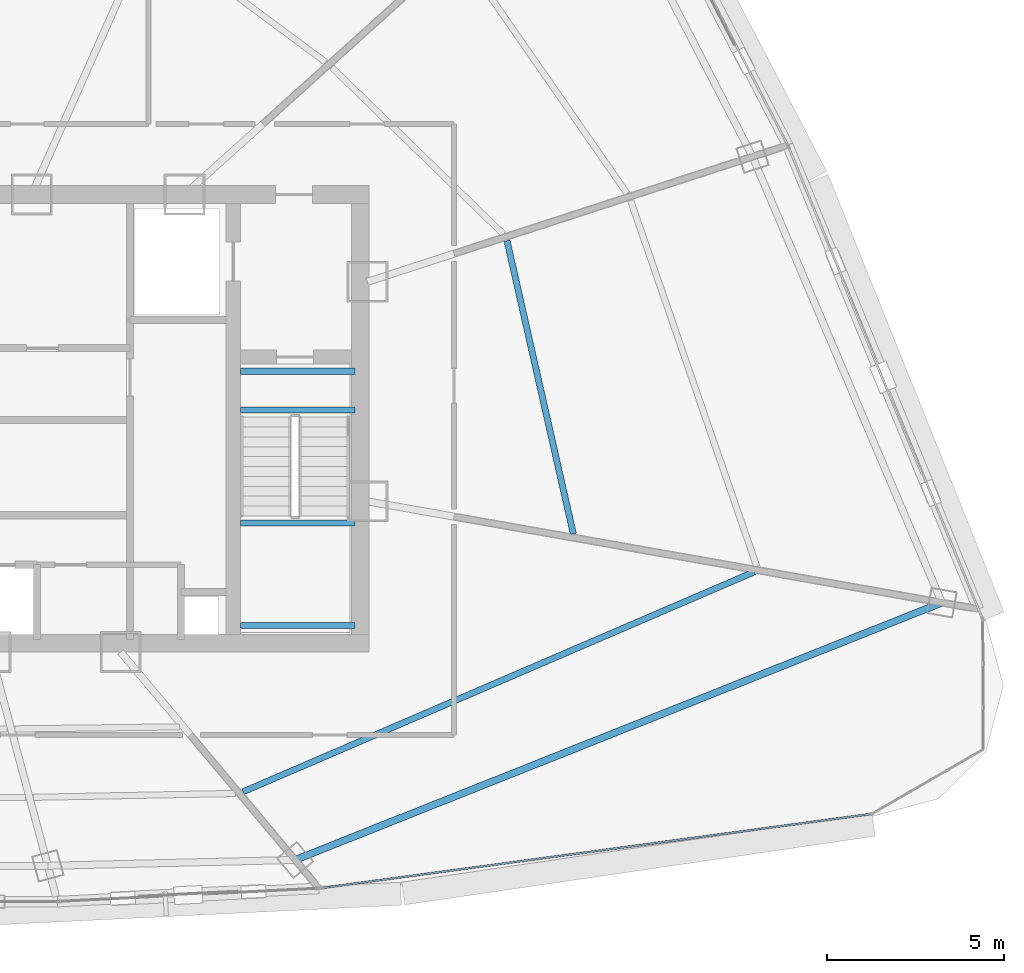
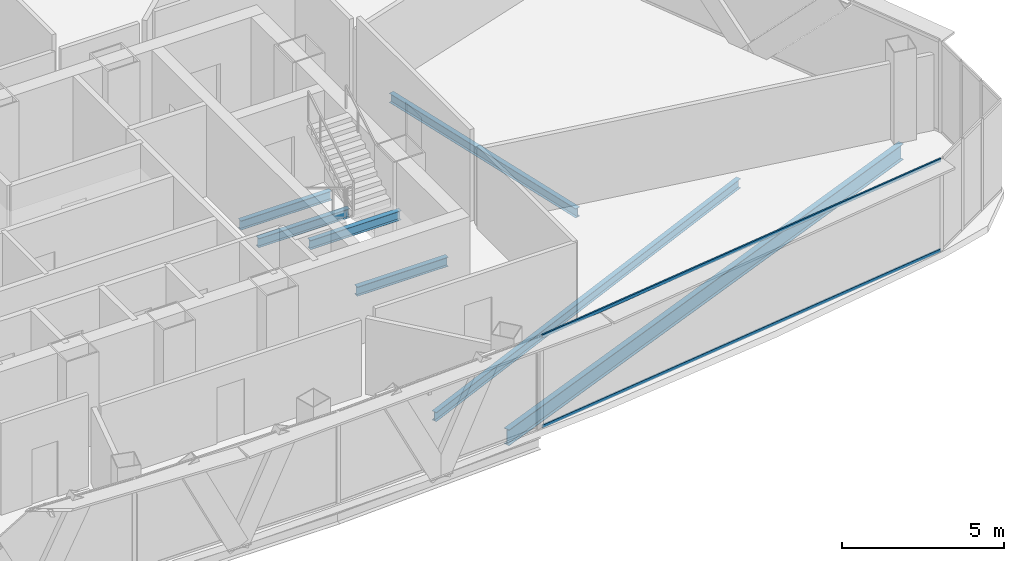
# One storey, part 13 of 33: 7 beams, 2 members, 1 element without a shape of its own.
"""IFC4 building model written with IfcOpenShell, lengths in metres."""

from ifc_helpers import new_model, si_unit, direction, frame, origin, origin_2d, place, context, subcontext, project, spatial, hollow_rectangle, i_section, extrude, source, transform, mapped, material, layer, layer_set, material_profile, profile_set, type_object, element, aggregate, save


model = new_model("IFC4")

# Units and contexts
model_context = context("Model", 3, precision=1e-05, world=origin(), true_north=direction((0.0, 1.0)))
body_context = subcontext(model_context, "Body", "Model", "MODEL_VIEW")
ifc_project = project(units=[si_unit("LENGTHUNIT", "METRE"), si_unit("AREAUNIT", "SQUARE_METRE"), si_unit("VOLUMEUNIT", "CUBIC_METRE"), si_unit("PLANEANGLEUNIT", "RADIAN"), si_unit("MASSUNIT", "GRAM", prefix="KILO"), si_unit("THERMODYNAMICTEMPERATUREUNIT", "KELVIN"), si_unit("POWERUNIT", "WATT")], contexts=[model_context])

# Site, building, storey
site_placement = place(None, origin())
site = spatial("IfcSite", under=ifc_project, at=site_placement, CompositionType="ELEMENT")
building_placement = place(site_placement, origin())
building = spatial("IfcBuilding", under=site, at=building_placement, Name="Yunzhuo Pagoda Commons", CompositionType="ELEMENT")
storey_placement = place(building_placement, frame((0.0, 0.0, 311.1298828125)))
storey = spatial("IfcBuildingStorey", under=building, at=storey_placement, Name="L78", CompositionType="ELEMENT", Elevation=311.1298828125)

# Beams
ifc_material_1 = material(Name="Structural steel Q355B", Category="steel")
ifc_material_profile_1 = material_profile(ifc_material_1, i_section(OverallWidth=0.175048828125, OverallDepth=0.35009765625, WebThickness=0.007080078125, FlangeThickness=0.010986328125, at=origin_2d()), Name="Structural steel Q355B")
ifc_profile_set_1 = profile_set([ifc_material_profile_1], Name="Structural steel Q355B")
beam_type_1 = type_object("IfcBeamType", Name="B-JS2 Joist HN 350x175x7x11", PredefinedType="JOIST", material=ifc_profile_set_1)
shared_shape_1 = source(origin(), body_context, "Body", "SweptSolid", [
    extrude(i_section(OverallWidth=0.175048828125, OverallDepth=0.35009765625, WebThickness=0.007080078125, FlangeThickness=0.010986328125, at=origin_2d()), origin(), (0.0, 0.0, 1.0), 3.25),
])
for number, where, z_axis, x_axis, name in (
    (1, (56.800048828125, 28.0, 1.490234375), (1.0, 0.0, 0.0), (0.0, 1.0, 0.0), "L78 ST2 landing support beam 84A"),
    (2, (56.800048828125, 30.89990234375, 1.490234375), (1.0, 0.0, 0.0), (0.0, 1.0, 0.0), "L78 ST2 landing support beam 84B"),
    (3, (56.800048828125, 34.10009765625, -0.375), (1.0, 0.0, 0.0), (0.0, 1.0, 0.0), "L78 ST2 landing support beam 182A"),
    (4, (56.800048828125, 35.199951171875, -0.375), (1.0, 0.0, 0.0), (0.0, 1.0, 0.0), "L78 ST2 landing support beam 182B"),
):
    element("IfcBeam", number, at=place(storey_placement, frame(where, z_axis=z_axis, x_axis=x_axis)), inside=storey, type_object=beam_type_1, Name=name, PredefinedType="JOIST", context=body_context, shape_type="MappedRepresentation", body=[
        mapped(shared_shape_1, transform((0.0, 0.0, 0.0), scale=1.0)),
    ])
ifc_material_profile_2 = material_profile(ifc_material_1, i_section(OverallWidth=0.199951171875, OverallDepth=0.60009765625, WebThickness=0.010986328125, FlangeThickness=0.01708984375, at=origin_2d()), Name="Structural steel Q355B")
ifc_profile_set_2 = profile_set([ifc_material_profile_2], Name="Structural steel Q355B")
beam_type_2 = type_object("IfcBeamType", Name="B-RG3 Beam HN 600x200x11x17", PredefinedType="BEAM", material=ifc_profile_set_2)
shared_shape_2 = source(origin(), body_context, "Body", "SweptSolid", [
    extrude(i_section(OverallWidth=0.199951171875, OverallDepth=0.60009765625, WebThickness=0.010986328125, FlangeThickness=0.01708984375, at=origin_2d()), origin(), (0.0, 0.0, 1.0), 19.7041015625),
])
beam_1_placement = place(storey_placement, frame((58.353515625, 21.361572265625, -0.559814453125), z_axis=(0.929150216007, 0.369702415592, 0.0), x_axis=(-0.369702415592, 0.929150216007, 0.0)))
element("IfcBeam", 5, at=beam_1_placement, inside=storey, type_object=beam_type_2, Name="L78 column-ring beam 4", PredefinedType="BEAM", context=body_context, shape_type="MappedRepresentation", body=[
    mapped(shared_shape_2, transform((0.0, 0.0, 0.0), scale=1.0)),
])
shared_shape_3 = source(origin(), body_context, "Body", "SweptSolid", [
    extrude(i_section(OverallWidth=0.175048828125, OverallDepth=0.35009765625, WebThickness=0.007080078125, FlangeThickness=0.010986328125, at=origin_2d()), origin(), (0.0, 0.0, 1.0), 15.757080078125),
])
beam_2_placement = place(storey_placement, frame((56.8779296875, 23.291259765625, -0.434814453125), z_axis=(0.918592756952, 0.395205448945, 0.0), x_axis=(-0.395205448945, 0.918592756952, 0.0)))
element("IfcBeam", 6, at=beam_2_placement, inside=storey, type_object=beam_type_1, Name="L78 composite ring joist 2.4", PredefinedType="JOIST", context=body_context, shape_type="MappedRepresentation", body=[
    mapped(shared_shape_3, transform((0.0, 0.0, 0.0), scale=1.0)),
])
shared_shape_4 = source(origin(), body_context, "Body", "SweptSolid", [
    extrude(i_section(OverallWidth=0.175048828125, OverallDepth=0.35009765625, WebThickness=0.007080078125, FlangeThickness=0.010986328125, at=origin_2d()), origin(), (0.0, 0.0, 1.0), 8.508544921875),
])
beam_3_placement = place(storey_placement, frame((66.228759765625, 30.593505859375, -0.434814453125), z_axis=(-0.220769003385, 0.975326123481, 0.0), x_axis=(-0.975326123481, -0.220769003385, 0.0)))
element("IfcBeam", 7, at=beam_3_placement, inside=storey, type_object=beam_type_1, Name="L78 composite ring joist 1.5", PredefinedType="JOIST", context=body_context, shape_type="MappedRepresentation", body=[
    mapped(shared_shape_4, transform((0.0, 0.0, 0.0), scale=1.0)),
])

# Curtain wall, members
ifc_material_2 = material(Name="Anodized aluminium 6063-T6", Category="aluminium")
ifc_layer = layer(ifc_material_2, 0.139892578125)
ifc_layer_set = layer_set([ifc_layer], Name="Anodized aluminium 6063-T6")
curtain_wall_type = type_object("IfcCurtainWallType", Name="CW-HI High-Zone Ribbon Curtain Wall", PredefinedType="NOTDEFINED", material=ifc_layer_set)
curtain_wall_placement = place(storey_placement, origin())
curtain_wall = element("IfcCurtainWall", 8, at=curtain_wall_placement, inside=storey, type_object=curtain_wall_type, Name="L78 curtain wall CW-L78-F1B5", PredefinedType="NOTDEFINED")
ifc_material_profile_3 = material_profile(ifc_material_2, hollow_rectangle(XDim=0.054931640625, YDim=0.1201171875, WallThickness=0.00341796875, at=origin_2d()), Name="Anodized aluminium 6063-T6")
ifc_profile_set_3 = profile_set([ifc_material_profile_3], Name="Anodized aluminium 6063-T6")
member_type = type_object("IfcMemberType", Name="CW-HI-T Transom RHS 120x55x3.5", PredefinedType="USERDEFINED", material=ifc_profile_set_3)
shared_shape_5 = source(origin(), body_context, "Body", "SweptSolid", [
    extrude(hollow_rectangle(XDim=0.054931640625, YDim=0.1201171875, WallThickness=0.00341796875, at=origin_2d()), origin(), (0.0, 0.0, 1.0), 15.591796875),
])
member_1_placement = place(storey_placement, frame((59.161865234375, 20.5751953125, 0.027587890625), z_axis=(0.991046322825, 0.133518485665, 0.0), x_axis=(-0.133518485665, 0.991046322825, 0.0)))
member_1 = element("IfcMember", 9, at=member_1_placement, type_object=member_type, Name="CW transom 1.1", ObjectType="TRANSOM", PredefinedType="USERDEFINED", context=body_context, shape_type="MappedRepresentation", body=[
    mapped(shared_shape_5, transform((0.0, 0.0, 0.0), scale=1.0)),
])
member_2_placement = place(storey_placement, frame((59.161865234375, 20.5751953125, 3.442626953125), z_axis=(0.991046322825, 0.133518485665, 0.0), x_axis=(-0.133518485665, 0.991046322825, 0.0)))
member_2 = element("IfcMember", 10, at=member_2_placement, type_object=member_type, Name="CW transom 1.2", ObjectType="TRANSOM", PredefinedType="USERDEFINED", context=body_context, shape_type="MappedRepresentation", body=[
    mapped(shared_shape_5, transform((0.0, 0.0, 0.0), scale=1.0)),
])
aggregate(curtain_wall, [member_1, member_2])

save(model, "model.ifc")
